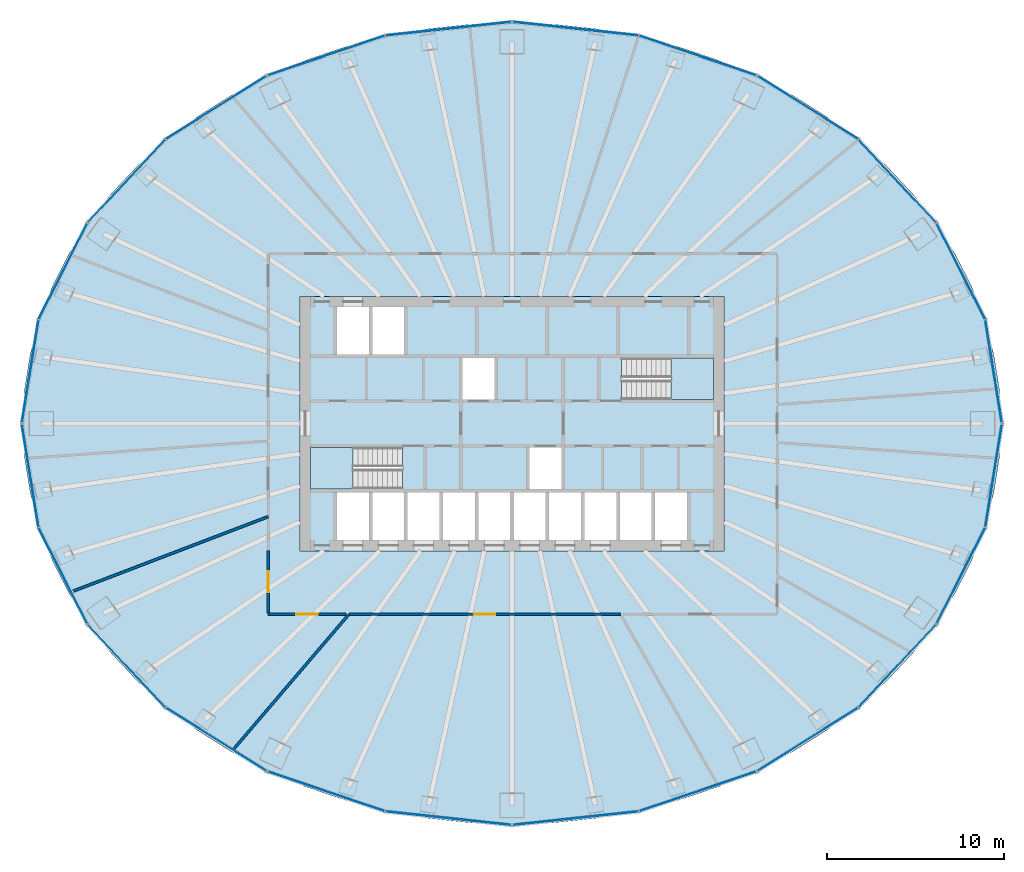
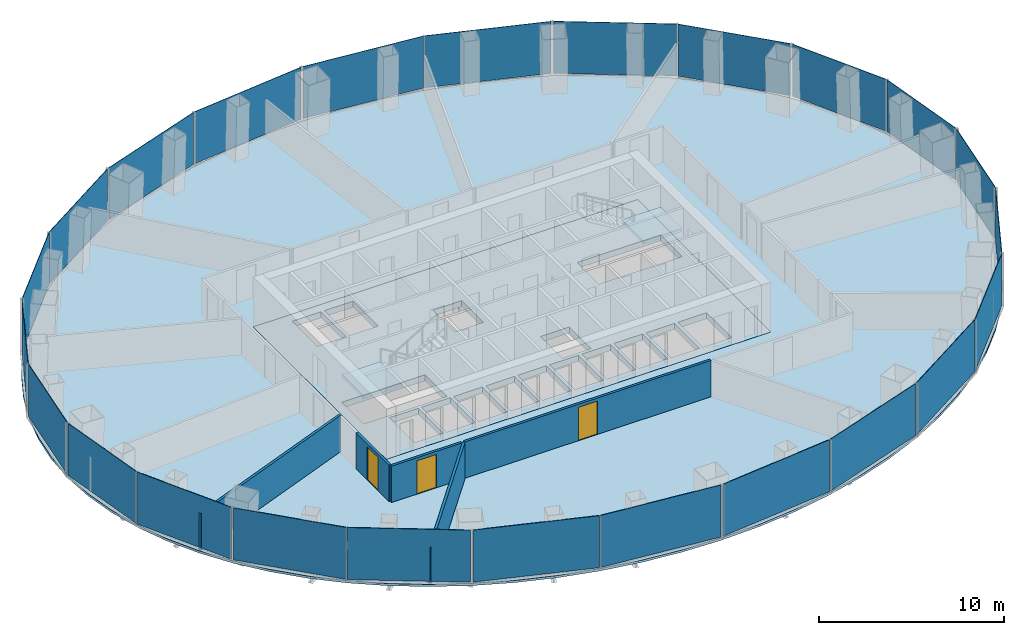
# One storey, part 7 of 11: 24 plates, 5 walls, 4 slabs, 3 doors, 3 openings, 14 elements without a shape of their own.
"""IFC4 building model written with IfcOpenShell, lengths in metres."""

from ifc_helpers import new_model, si_unit, direction, frame, frame_2d, origin, origin_2d, place, context, subcontext, project, spatial, polyline, rectangle, outline, extrude, material, layer, layer_set, type_object, element, fill, aggregate, save


model = new_model("IFC4")

# Units and contexts
model_context = context("Model", 3, precision=1e-05, world=origin(), true_north=direction((0.0, 1.0)))
body_context = subcontext(model_context, "Body", "Model", "MODEL_VIEW")
ifc_project = project(units=[si_unit("LENGTHUNIT", "METRE"), si_unit("AREAUNIT", "SQUARE_METRE"), si_unit("VOLUMEUNIT", "CUBIC_METRE"), si_unit("PLANEANGLEUNIT", "RADIAN"), si_unit("MASSUNIT", "GRAM", prefix="KILO")], contexts=[model_context])

# Site, building, storey
site_placement = place(None, origin())
site = spatial("IfcSite", under=ifc_project, at=site_placement, CompositionType="ELEMENT")
building_placement = place(site_placement, origin())
building = spatial("IfcBuilding", under=site, at=building_placement, Name="Siaravel Broadcast Tower", CompositionType="ELEMENT")
storey_placement = place(building_placement, frame((0.0, 0.0, 51.89990234375)))
storey = spatial("IfcBuildingStorey", under=building, at=storey_placement, Name="L11", CompositionType="ELEMENT", Elevation=51.89990234375)

# Curtain wall, plates
ifc_material_1 = material(Name="Aluminium 6063-T6", Category="aluminium")
ifc_layer_1 = layer(ifc_material_1, 0.219970703125)
ifc_layer_set_1 = layer_set([ifc_layer_1], Name="Aluminium 6063-T6")
curtain_wall_type = type_object("IfcCurtainWallType", Name="Unitised curtain wall, zone 1", PredefinedType="NOTDEFINED", material=ifc_layer_set_1)
curtain_wall_1_placement = place(storey_placement, origin())
curtain_wall_1 = element("IfcCurtainWall", 1, at=curtain_wall_1_placement, inside=storey, type_object=curtain_wall_type, Name="L11 Unitised curtain wall, zone 1 01", PredefinedType="NOTDEFINED")
ifc_material_2 = material(Name="Tinted laminated glass", Category="glass")
ifc_layer_2 = layer(ifc_material_2, 0.031982421875)
ifc_layer_set_2 = layer_set([ifc_layer_2], Name="Tinted laminated glass")
plate_type = type_object("IfcPlateType", Name="CW-Z1 glass panel", PredefinedType="CURTAIN_PANEL", material=ifc_layer_set_2)
plate_1_placement = place(storey_placement, frame((27.25634765625, 2.95947265625, 0.1201171875), z_axis=(0.0, 0.0, 1.0), x_axis=(-0.158685735, 0.987329143, 0.0)))
plate_1 = element("IfcPlate", 2, at=plate_1_placement, type_object=plate_type, Name="CW-Z1 glass panel", PredefinedType="CURTAIN_PANEL", context=body_context, shape_type="SweptSolid", body=[
    extrude(rectangle(XDim=5.854736328125, YDim=0.031982421875, at=origin_2d()), origin(), (0.0, 0.0, 1.0), 3.429931640625),
])
plate_2_placement = place(storey_placement, frame((25.407958984375, 8.609619140625, 0.1201171875), z_axis=(0.0, 0.0, 1.0), x_axis=(-0.451261257, 0.892391886, 0.0)))
plate_2 = element("IfcPlate", 3, at=plate_2_placement, type_object=plate_type, Name="CW-Z1 glass panel", PredefinedType="CURTAIN_PANEL", context=body_context, shape_type="SweptSolid", body=[
    extrude(rectangle(XDim=6.0380859375, YDim=0.031982421875, at=origin_2d()), origin(), (0.0, 0.0, 1.0), 3.429931640625),
])
aggregate(curtain_wall_1, [plate_1, plate_2])

curtain_wall_2_placement = place(storey_placement, origin())
curtain_wall_2 = element("IfcCurtainWall", 4, at=curtain_wall_2_placement, inside=storey, type_object=curtain_wall_type, Name="L11 Unitised curtain wall, zone 1 02", PredefinedType="NOTDEFINED")
plate_3_placement = place(storey_placement, frame((21.798095703125, 13.731689453125, 0.1201171875), z_axis=(0.0, 0.0, 1.0), x_axis=(-0.683655302, 0.729805061, 0.0)))
plate_3 = element("IfcPlate", 5, at=plate_3_placement, type_object=plate_type, Name="CW-Z1 glass panel", PredefinedType="CURTAIN_PANEL", context=body_context, shape_type="SweptSolid", body=[
    extrude(rectangle(XDim=6.34326171875, YDim=0.031982421875, at=origin_2d()), origin(), (0.0, 0.0, 1.0), 3.429931640625),
])
plate_4_placement = place(storey_placement, frame((16.748779296875, 17.86767578125, 0.1201171875), z_axis=(0.0, 0.0, 1.0), x_axis=(-0.846650586, 0.532149214, 0.0)))
plate_4 = element("IfcPlate", 6, at=plate_4_placement, type_object=plate_type, Name="CW-Z1 glass panel", PredefinedType="CURTAIN_PANEL", context=body_context, shape_type="SweptSolid", body=[
    extrude(rectangle(XDim=6.6787109375, YDim=0.031982421875, at=origin_2d()), origin(), (0.0, 0.0, 1.0), 3.429931640625),
])
aggregate(curtain_wall_2, [plate_3, plate_4])

curtain_wall_3_placement = place(storey_placement, origin())
curtain_wall_3 = element("IfcCurtainWall", 7, at=curtain_wall_3_placement, inside=storey, type_object=curtain_wall_type, Name="L11 Unitised curtain wall, zone 1 03", PredefinedType="NOTDEFINED")
plate_5_placement = place(storey_placement, frame((10.502197265625, 20.822021484375, 0.1201171875), z_axis=(0.0, 0.0, 1.0), x_axis=(-0.94697722, 0.321300709, 0.0)))
plate_5 = element("IfcPlate", 8, at=plate_5_placement, type_object=plate_type, Name="CW-Z1 glass panel", PredefinedType="CURTAIN_PANEL", context=body_context, shape_type="SweptSolid", body=[
    extrude(rectangle(XDim=6.956298828125, YDim=0.031982421875, at=origin_2d()), origin(), (0.0, 0.0, 1.0), 3.429931640625),
])
plate_6_placement = place(storey_placement, frame((3.60498046875, 22.335693359375, 0.1201171875), z_axis=(0.0, 0.0, 1.0), x_axis=(-0.994235586, 0.107217536, 0.0)))
plate_6 = element("IfcPlate", 9, at=plate_6_placement, type_object=plate_type, Name="CW-Z1 glass panel", PredefinedType="CURTAIN_PANEL", context=body_context, shape_type="SweptSolid", body=[
    extrude(rectangle(XDim=7.11181640625, YDim=0.031982421875, at=origin_2d()), origin(), (0.0, 0.0, 1.0), 3.429931640625),
])
aggregate(curtain_wall_3, [plate_5, plate_6])

curtain_wall_4_placement = place(storey_placement, origin())
curtain_wall_4 = element("IfcCurtainWall", 10, at=curtain_wall_4_placement, inside=storey, type_object=curtain_wall_type, Name="L11 Unitised curtain wall, zone 1 04", PredefinedType="NOTDEFINED")
plate_7_placement = place(storey_placement, frame((-3.60498046875, 22.335693359375, 0.1201171875), z_axis=(0.0, 0.0, 1.0), x_axis=(-0.994235586, -0.107217536, 0.0)))
plate_7 = element("IfcPlate", 11, at=plate_7_placement, type_object=plate_type, Name="CW-Z1 glass panel", PredefinedType="CURTAIN_PANEL", context=body_context, shape_type="SweptSolid", body=[
    extrude(rectangle(XDim=7.11181640625, YDim=0.031982421875, at=origin_2d()), origin(), (0.0, 0.0, 1.0), 3.429931640625),
])
plate_8_placement = place(storey_placement, frame((-10.502197265625, 20.822021484375, 0.1201171875), z_axis=(0.0, 0.0, 1.0), x_axis=(-0.94697722, -0.321300709, 0.0)))
plate_8 = element("IfcPlate", 12, at=plate_8_placement, type_object=plate_type, Name="CW-Z1 glass panel", PredefinedType="CURTAIN_PANEL", context=body_context, shape_type="SweptSolid", body=[
    extrude(rectangle(XDim=6.956298828125, YDim=0.031982421875, at=origin_2d()), origin(), (0.0, 0.0, 1.0), 3.429931640625),
])
aggregate(curtain_wall_4, [plate_7, plate_8])

curtain_wall_5_placement = place(storey_placement, origin())
curtain_wall_5 = element("IfcCurtainWall", 13, at=curtain_wall_5_placement, inside=storey, type_object=curtain_wall_type, Name="L11 Unitised curtain wall, zone 1 05", PredefinedType="NOTDEFINED")
plate_9_placement = place(storey_placement, frame((-16.748779296875, 17.86767578125, 0.1201171875), z_axis=(0.0, 0.0, 1.0), x_axis=(-0.846650586, -0.532149214, 0.0)))
plate_9 = element("IfcPlate", 14, at=plate_9_placement, type_object=plate_type, Name="CW-Z1 glass panel", PredefinedType="CURTAIN_PANEL", context=body_context, shape_type="SweptSolid", body=[
    extrude(rectangle(XDim=6.6787109375, YDim=0.031982421875, at=origin_2d()), origin(), (0.0, 0.0, 1.0), 3.429931640625),
])
plate_10_placement = place(storey_placement, frame((-21.798095703125, 13.731689453125, 0.1201171875), z_axis=(0.0, 0.0, 1.0), x_axis=(-0.683655302, -0.729805061, 0.0)))
plate_10 = element("IfcPlate", 15, at=plate_10_placement, type_object=plate_type, Name="CW-Z1 glass panel", PredefinedType="CURTAIN_PANEL", context=body_context, shape_type="SweptSolid", body=[
    extrude(rectangle(XDim=6.34326171875, YDim=0.031982421875, at=origin_2d()), origin(), (0.0, 0.0, 1.0), 3.429931640625),
])
aggregate(curtain_wall_5, [plate_9, plate_10])

curtain_wall_6_placement = place(storey_placement, origin())
curtain_wall_6 = element("IfcCurtainWall", 16, at=curtain_wall_6_placement, inside=storey, type_object=curtain_wall_type, Name="L11 Unitised curtain wall, zone 1 06", PredefinedType="NOTDEFINED")
plate_11_placement = place(storey_placement, frame((-25.407958984375, 8.609619140625, 0.1201171875), z_axis=(0.0, 0.0, 1.0), x_axis=(-0.451261257, -0.892391886, 0.0)))
plate_11 = element("IfcPlate", 17, at=plate_11_placement, type_object=plate_type, Name="CW-Z1 glass panel", PredefinedType="CURTAIN_PANEL", context=body_context, shape_type="SweptSolid", body=[
    extrude(rectangle(XDim=6.0380859375, YDim=0.031982421875, at=origin_2d()), origin(), (0.0, 0.0, 1.0), 3.429931640625),
])
plate_12_placement = place(storey_placement, frame((-27.25634765625, 2.95947265625, 0.1201171875), z_axis=(0.0, 0.0, 1.0), x_axis=(-0.158685735, -0.987329143, 0.0)))
plate_12 = element("IfcPlate", 18, at=plate_12_placement, type_object=plate_type, Name="CW-Z1 glass panel", PredefinedType="CURTAIN_PANEL", context=body_context, shape_type="SweptSolid", body=[
    extrude(rectangle(XDim=5.854736328125, YDim=0.031982421875, at=origin_2d()), origin(), (0.0, 0.0, 1.0), 3.429931640625),
])
aggregate(curtain_wall_6, [plate_11, plate_12])

curtain_wall_7_placement = place(storey_placement, origin())
curtain_wall_7 = element("IfcCurtainWall", 19, at=curtain_wall_7_placement, inside=storey, type_object=curtain_wall_type, Name="L11 Unitised curtain wall, zone 1 07", PredefinedType="NOTDEFINED")
plate_13_placement = place(storey_placement, frame((-27.25634765625, -2.95947265625, 0.1201171875), z_axis=(0.0, 0.0, 1.0), x_axis=(0.158685735, -0.987329143, 0.0)))
plate_13 = element("IfcPlate", 20, at=plate_13_placement, type_object=plate_type, Name="CW-Z1 glass panel", PredefinedType="CURTAIN_PANEL", context=body_context, shape_type="SweptSolid", body=[
    extrude(rectangle(XDim=5.854736328125, YDim=0.031982421875, at=origin_2d()), origin(), (0.0, 0.0, 1.0), 3.429931640625),
])
plate_14_placement = place(storey_placement, frame((-25.407958984375, -8.609619140625, 0.1201171875), z_axis=(0.0, 0.0, 1.0), x_axis=(0.451261257, -0.892391886, 0.0)))
plate_14 = element("IfcPlate", 21, at=plate_14_placement, type_object=plate_type, Name="CW-Z1 glass panel", PredefinedType="CURTAIN_PANEL", context=body_context, shape_type="SweptSolid", body=[
    extrude(rectangle(XDim=6.0380859375, YDim=0.031982421875, at=origin_2d()), origin(), (0.0, 0.0, 1.0), 3.429931640625),
])
aggregate(curtain_wall_7, [plate_13, plate_14])

curtain_wall_8_placement = place(storey_placement, origin())
curtain_wall_8 = element("IfcCurtainWall", 22, at=curtain_wall_8_placement, inside=storey, type_object=curtain_wall_type, Name="L11 Unitised curtain wall, zone 1 08", PredefinedType="NOTDEFINED")
plate_15_placement = place(storey_placement, frame((-21.798095703125, -13.731689453125, 0.1201171875), z_axis=(0.0, 0.0, 1.0), x_axis=(0.683655302, -0.729805061, 0.0)))
plate_15 = element("IfcPlate", 23, at=plate_15_placement, type_object=plate_type, Name="CW-Z1 glass panel", PredefinedType="CURTAIN_PANEL", context=body_context, shape_type="SweptSolid", body=[
    extrude(rectangle(XDim=6.34326171875, YDim=0.031982421875, at=origin_2d()), origin(), (0.0, 0.0, 1.0), 3.429931640625),
])
plate_16_placement = place(storey_placement, frame((-16.748779296875, -17.86767578125, 0.1201171875), z_axis=(0.0, 0.0, 1.0), x_axis=(0.846650586, -0.532149214, 0.0)))
plate_16 = element("IfcPlate", 24, at=plate_16_placement, type_object=plate_type, Name="CW-Z1 glass panel", PredefinedType="CURTAIN_PANEL", context=body_context, shape_type="SweptSolid", body=[
    extrude(rectangle(XDim=6.6787109375, YDim=0.031982421875, at=origin_2d()), origin(), (0.0, 0.0, 1.0), 3.429931640625),
])
aggregate(curtain_wall_8, [plate_15, plate_16])

curtain_wall_9_placement = place(storey_placement, origin())
curtain_wall_9 = element("IfcCurtainWall", 25, at=curtain_wall_9_placement, inside=storey, type_object=curtain_wall_type, Name="L11 Unitised curtain wall, zone 1 09", PredefinedType="NOTDEFINED")
plate_17_placement = place(storey_placement, frame((-10.502197265625, -20.822021484375, 0.1201171875), z_axis=(0.0, 0.0, 1.0), x_axis=(0.94697722, -0.321300709, 0.0)))
plate_17 = element("IfcPlate", 26, at=plate_17_placement, type_object=plate_type, Name="CW-Z1 glass panel", PredefinedType="CURTAIN_PANEL", context=body_context, shape_type="SweptSolid", body=[
    extrude(rectangle(XDim=6.956298828125, YDim=0.031982421875, at=origin_2d()), origin(), (0.0, 0.0, 1.0), 3.429931640625),
])
plate_18_placement = place(storey_placement, frame((-3.60498046875, -22.335693359375, 0.1201171875), z_axis=(0.0, 0.0, 1.0), x_axis=(0.994235586, -0.107217536, 0.0)))
plate_18 = element("IfcPlate", 27, at=plate_18_placement, type_object=plate_type, Name="CW-Z1 glass panel", PredefinedType="CURTAIN_PANEL", context=body_context, shape_type="SweptSolid", body=[
    extrude(rectangle(XDim=7.11181640625, YDim=0.031982421875, at=origin_2d()), origin(), (0.0, 0.0, 1.0), 3.429931640625),
])
aggregate(curtain_wall_9, [plate_17, plate_18])

curtain_wall_10_placement = place(storey_placement, origin())
curtain_wall_10 = element("IfcCurtainWall", 28, at=curtain_wall_10_placement, inside=storey, type_object=curtain_wall_type, Name="L11 Unitised curtain wall, zone 1 10", PredefinedType="NOTDEFINED")
plate_19_placement = place(storey_placement, frame((3.60498046875, -22.335693359375, 0.1201171875), z_axis=(0.0, 0.0, 1.0), x_axis=(0.994235586, 0.107217536, 0.0)))
plate_19 = element("IfcPlate", 29, at=plate_19_placement, type_object=plate_type, Name="CW-Z1 glass panel", PredefinedType="CURTAIN_PANEL", context=body_context, shape_type="SweptSolid", body=[
    extrude(rectangle(XDim=7.11181640625, YDim=0.031982421875, at=origin_2d()), origin(), (0.0, 0.0, 1.0), 3.429931640625),
])
plate_20_placement = place(storey_placement, frame((10.502197265625, -20.822021484375, 0.1201171875), z_axis=(0.0, 0.0, 1.0), x_axis=(0.94697722, 0.321300709, 0.0)))
plate_20 = element("IfcPlate", 30, at=plate_20_placement, type_object=plate_type, Name="CW-Z1 glass panel", PredefinedType="CURTAIN_PANEL", context=body_context, shape_type="SweptSolid", body=[
    extrude(rectangle(XDim=6.956298828125, YDim=0.031982421875, at=origin_2d()), origin(), (0.0, 0.0, 1.0), 3.429931640625),
])
aggregate(curtain_wall_10, [plate_19, plate_20])

curtain_wall_11_placement = place(storey_placement, origin())
curtain_wall_11 = element("IfcCurtainWall", 31, at=curtain_wall_11_placement, inside=storey, type_object=curtain_wall_type, Name="L11 Unitised curtain wall, zone 1 11", PredefinedType="NOTDEFINED")
plate_21_placement = place(storey_placement, frame((16.748779296875, -17.86767578125, 0.1201171875), z_axis=(0.0, 0.0, 1.0), x_axis=(0.846650586, 0.532149214, 0.0)))
plate_21 = element("IfcPlate", 32, at=plate_21_placement, type_object=plate_type, Name="CW-Z1 glass panel", PredefinedType="CURTAIN_PANEL", context=body_context, shape_type="SweptSolid", body=[
    extrude(rectangle(XDim=6.6787109375, YDim=0.031982421875, at=origin_2d()), origin(), (0.0, 0.0, 1.0), 3.429931640625),
])
plate_22_placement = place(storey_placement, frame((21.798095703125, -13.731689453125, 0.1201171875), z_axis=(0.0, 0.0, 1.0), x_axis=(0.683655302, 0.729805061, 0.0)))
plate_22 = element("IfcPlate", 33, at=plate_22_placement, type_object=plate_type, Name="CW-Z1 glass panel", PredefinedType="CURTAIN_PANEL", context=body_context, shape_type="SweptSolid", body=[
    extrude(rectangle(XDim=6.34326171875, YDim=0.031982421875, at=origin_2d()), origin(), (0.0, 0.0, 1.0), 3.429931640625),
])
aggregate(curtain_wall_11, [plate_21, plate_22])

curtain_wall_12_placement = place(storey_placement, origin())
curtain_wall_12 = element("IfcCurtainWall", 34, at=curtain_wall_12_placement, inside=storey, type_object=curtain_wall_type, Name="L11 Unitised curtain wall, zone 1 12", PredefinedType="NOTDEFINED")
plate_23_placement = place(storey_placement, frame((25.407958984375, -8.609619140625, 0.1201171875), z_axis=(0.0, 0.0, 1.0), x_axis=(0.451261257, 0.892391886, 0.0)))
plate_23 = element("IfcPlate", 35, at=plate_23_placement, type_object=plate_type, Name="CW-Z1 glass panel", PredefinedType="CURTAIN_PANEL", context=body_context, shape_type="SweptSolid", body=[
    extrude(rectangle(XDim=6.0380859375, YDim=0.031982421875, at=origin_2d()), origin(), (0.0, 0.0, 1.0), 3.429931640625),
])
plate_24_placement = place(storey_placement, frame((27.25634765625, -2.95947265625, 0.1201171875), z_axis=(0.0, 0.0, 1.0), x_axis=(0.158685735, 0.987329143, 0.0)))
plate_24 = element("IfcPlate", 36, at=plate_24_placement, type_object=plate_type, Name="CW-Z1 glass panel", PredefinedType="CURTAIN_PANEL", context=body_context, shape_type="SweptSolid", body=[
    extrude(rectangle(XDim=5.854736328125, YDim=0.031982421875, at=origin_2d()), origin(), (0.0, 0.0, 1.0), 3.429931640625),
])
aggregate(curtain_wall_12, [plate_23, plate_24])

# Slabs
ifc_material_3 = material(Name="Concrete C40/50", Category="concrete")
ifc_layer_3 = layer(ifc_material_3, 0.39990234375)
ifc_layer_set_3 = layer_set([ifc_layer_3], Name="Concrete C40/50")
slab_type_1 = type_object("IfcSlabType", Name="Core floor slab 400", PredefinedType="FLOOR", material=ifc_layer_set_3)
slab_1_placement = place(storey_placement, frame((0.0, 0.0, -0.39990234375)))
element("IfcSlab", 37, at=slab_1_placement, inside=storey, type_object=slab_type_1, Name="L11 core floor", PredefinedType="FLOOR", context=body_context, shape_type="SweptSolid", body=[
    extrude(outline(polyline([(-12.0, -7.199951171875), (-12.0, 7.199951171875), (12.0, 7.199951171875), (12.0, -7.199951171875), (-12.0, -7.199951171875)]), holes=[polyline([(11.3994140625, 1.3505859375), (11.3994140625, 3.699462890625), (6.200439453125, 3.699462890625), (6.200439453125, 1.3505859375), (11.3994140625, 1.3505859375)]), polyline([(9.89990234375, -3.89990234375), (8.10009765625, -3.89990234375), (8.10009765625, -6.60009765625), (9.89990234375, -6.60009765625), (9.89990234375, -3.89990234375)]), polyline([(7.89990234375, -3.89990234375), (6.10009765625, -3.89990234375), (6.10009765625, -6.60009765625), (7.89990234375, -6.60009765625), (7.89990234375, -3.89990234375)]), polyline([(5.89990234375, -3.89990234375), (4.10009765625, -3.89990234375), (4.10009765625, -6.60009765625), (5.89990234375, -6.60009765625), (5.89990234375, -3.89990234375)]), polyline([(3.89990234375, -3.89990234375), (2.10009765625, -3.89990234375), (2.10009765625, -6.60009765625), (3.89990234375, -6.60009765625), (3.89990234375, -3.89990234375)]), polyline([(2.800048828125, -1.35009765625), (1.0, -1.35009765625), (1.0, -3.699951171875), (2.800048828125, -3.699951171875), (2.800048828125, -1.35009765625)]), polyline([(1.89990234375, -3.89990234375), (0.10009765625, -3.89990234375), (0.10009765625, -6.60009765625), (1.89990234375, -6.60009765625), (1.89990234375, -3.89990234375)]), polyline([(-0.10009765625, -3.89990234375), (-1.89990234375, -3.89990234375), (-1.89990234375, -6.60009765625), (-0.10009765625, -6.60009765625), (-0.10009765625, -3.89990234375)]), polyline([(-1.0, 3.699951171875), (-2.800048828125, 3.699951171875), (-2.800048828125, 1.35009765625), (-1.0, 1.35009765625), (-1.0, 3.699951171875)]), polyline([(-2.10009765625, -3.89990234375), (-3.89990234375, -3.89990234375), (-3.89990234375, -6.60009765625), (-2.10009765625, -6.60009765625), (-2.10009765625, -3.89990234375)]), polyline([(-4.10009765625, -3.89990234375), (-5.89990234375, -3.89990234375), (-5.89990234375, -6.60009765625), (-4.10009765625, -6.60009765625), (-4.10009765625, -3.89990234375)]), polyline([(-6.10009765625, -3.89990234375), (-7.89990234375, -3.89990234375), (-7.89990234375, -6.60009765625), (-6.10009765625, -6.60009765625), (-6.10009765625, -3.89990234375)]), polyline([(-6.10009765625, 6.60009765625), (-7.89990234375, 6.60009765625), (-7.89990234375, 3.89990234375), (-6.10009765625, 3.89990234375), (-6.10009765625, 6.60009765625)]), polyline([(-11.3994140625, -1.3505859375), (-11.3994140625, -3.699462890625), (-6.200439453125, -3.699462890625), (-6.200439453125, -1.3505859375), (-11.3994140625, -1.3505859375)]), polyline([(-8.10009765625, -3.89990234375), (-9.89990234375, -3.89990234375), (-9.89990234375, -6.60009765625), (-8.10009765625, -6.60009765625), (-8.10009765625, -3.89990234375)]), polyline([(-8.10009765625, 6.60009765625), (-9.89990234375, 6.60009765625), (-9.89990234375, 3.89990234375), (-8.10009765625, 3.89990234375), (-8.10009765625, 6.60009765625)])]), origin(), (0.0, 0.0, 1.0), 0.39990234375),
])
ifc_layer_4 = layer(ifc_material_3, 0.14990234375)
ifc_layer_set_4 = layer_set([ifc_layer_4], Name="Concrete C40/50")
slab_type_2 = type_object("IfcSlabType", Name="SLB-FLOOR-150", PredefinedType="FLOOR", material=ifc_layer_set_4)
slab_2_placement = place(storey_placement, frame((0.0, 0.0, -0.14990234375)))
element("IfcSlab", 38, at=slab_2_placement, inside=storey, type_object=slab_type_2, Name="Floor slab", PredefinedType="FLOOR", context=body_context, shape_type="SweptSolid", body=[
    extrude(outline(polyline([(27.681884765625, 0.0), (27.57666015625, 1.976318359375), (27.26123046875, 3.9375), (26.73876953125, 5.86865234375), (26.012451171875, 7.755126953125), (25.08837890625, 9.582763671875), (23.97314453125, 11.33740234375), (22.67578125, 13.005615234375), (21.20556640625, 14.574951171875), (19.57421875, 16.033447265625), (17.793701171875, 17.369873046875), (15.877685546875, 18.573974609375), (13.841064453125, 19.63671875), (11.698974609375, 20.55029296875), (9.4677734375, 21.30712890625), (7.16455078125, 21.902099609375), (4.806884765625, 22.330078125), (2.41259765625, 22.58837890625), (0.0, 22.674560546875), (-2.41259765625, 22.58837890625), (-4.806884765625, 22.330078125), (-7.16455078125, 21.902099609375), (-9.4677734375, 21.30712890625), (-11.698974609375, 20.55029296875), (-13.8408203125, 19.63671875), (-15.877685546875, 18.573974609375), (-17.793701171875, 17.369873046875), (-19.57421875, 16.033447265625), (-21.20556640625, 14.574951171875), (-22.67578125, 13.005615234375), (-23.97314453125, 11.33740234375), (-25.08837890625, 9.582763671875), (-26.012451171875, 7.755126953125), (-26.73876953125, 5.86865234375), (-27.26123046875, 3.9375), (-27.57666015625, 1.976318359375), (-27.681884765625, 0.0), (-27.57666015625, -1.976318359375), (-27.26123046875, -3.9375), (-26.73876953125, -5.86865234375), (-26.012451171875, -7.755126953125), (-25.08837890625, -9.582763671875), (-23.97314453125, -11.33740234375), (-22.67578125, -13.005615234375), (-21.20556640625, -14.574951171875), (-19.57421875, -16.033447265625), (-17.793701171875, -17.369873046875), (-15.877685546875, -18.573974609375), (-13.841064453125, -19.63671875), (-11.698974609375, -20.55029296875), (-9.4677734375, -21.30712890625), (-7.16455078125, -21.902099609375), (-4.806884765625, -22.330078125), (-2.41259765625, -22.58837890625), (0.0, -22.674560546875), (2.41259765625, -22.58837890625), (4.806884765625, -22.330078125), (7.16455078125, -21.902099609375), (9.4677734375, -21.30712890625), (11.698974609375, -20.55029296875), (13.841064453125, -19.63671875), (15.877685546875, -18.573974609375), (17.793701171875, -17.369873046875), (19.57421875, -16.033447265625), (21.20556640625, -14.574951171875), (22.67578125, -13.005615234375), (23.97314453125, -11.33740234375), (25.08837890625, -9.582763671875), (26.012451171875, -7.755126953125), (26.73876953125, -5.86865234375), (27.26123046875, -3.9375), (27.57666015625, -1.976318359375), (27.681884765625, 0.0)]), holes=[polyline([(-12.0, 7.199951171875), (12.0, 7.199951171875), (12.0, -7.199951171875), (-12.0, -7.199951171875), (-12.0, 7.199951171875)])]), origin(), (0.0, 0.0, 1.0), 0.14990234375),
])

# Stair, slab
stair_type = type_object("IfcStairType", Name="Core exit stair", PredefinedType="HALF_TURN_STAIR", material=ifc_material_3)
stair_1_placement = place(storey_placement, origin())
stair_1 = element("IfcStair", 39, at=stair_1_placement, inside=storey, type_object=stair_type, Name="L11 Exit stair ST-1", PredefinedType="HALF_TURN_STAIR")
ifc_layer_5 = layer(ifc_material_3, 0.199951171875)
ifc_layer_set_5 = layer_set([ifc_layer_5], Name="Concrete C40/50")
slab_type_3 = type_object("IfcSlabType", Name="Stair landing", PredefinedType="LANDING", material=ifc_layer_set_5)
slab_3_placement = place(storey_placement, frame((0.0, 0.0, 1.650146484375)))
slab_3 = element("IfcSlab", 40, at=slab_3_placement, type_object=slab_type_3, Name="ST-1 landing 1", PredefinedType="LANDING", context=body_context, shape_type="SweptSolid", body=[
    extrude(outline(polyline([(-9.0, -1.35009765625), (-11.39990234375, -1.35009765625), (-11.39990234375, -3.699951171875), (-9.0, -3.699951171875), (-9.0, -1.35009765625)])), origin(), (0.0, 0.0, 1.0), 0.199951171875),
])
aggregate(stair_1, [slab_3])

stair_2_placement = place(storey_placement, origin())
stair_2 = element("IfcStair", 41, at=stair_2_placement, inside=storey, type_object=stair_type, Name="L11 Exit stair ST-2", PredefinedType="HALF_TURN_STAIR")
slab_4_placement = place(storey_placement, frame((0.0, 0.0, 1.650146484375)))
slab_4 = element("IfcSlab", 42, at=slab_4_placement, type_object=slab_type_3, Name="ST-2 landing 1", PredefinedType="LANDING", context=body_context, shape_type="SweptSolid", body=[
    extrude(outline(polyline([(9.0, 1.35009765625), (11.39990234375, 1.35009765625), (11.39990234375, 3.699951171875), (9.0, 3.699951171875), (9.0, 1.35009765625)])), origin(), (0.0, 0.0, 1.0), 0.199951171875),
])
aggregate(stair_2, [slab_4])

# Wall, opening, door
ifc_material_4 = material(Name="Gypsum board partition", Category="gypsum")
ifc_layer_6 = layer(ifc_material_4, 0.14990234375)
ifc_layer_set_6 = layer_set([ifc_layer_6], Name="Gypsum board partition")
wall_type_1 = type_object("IfcWallType", Name="Corridor wall 150", PredefinedType="PARTITIONING", material=ifc_layer_set_6)
wall_1_placement = place(storey_placement, frame((-9.232421875, -10.800048828125, 0.0), z_axis=(0.0, 0.0, 1.0), x_axis=(1.0, 0.0, 0.0)))
wall_1 = element("IfcWall", 43, at=wall_1_placement, inside=storey, type_object=wall_type_1, Name="L11 partition 1", PredefinedType="PARTITIONING", context=body_context, shape_type="SweptSolid", body=[
    extrude(rectangle(XDim=15.380615234375, YDim=0.14990234375, at=frame_2d((7.6904296875, 0.0))), origin(), (0.0, 0.0, 1.0), 2.400146484375),
])
opening_1_placement = place(wall_1_placement, frame((7.09033203125, 0.0, 0.0)))
opening_1 = element("IfcOpeningElement", 44, at=opening_1_placement, cuts=wall_1, Name="Opening L11-012", PredefinedType="OPENING", context=body_context, shape_type="SweptSolid", body=[
    extrude(rectangle(XDim=1.199951171875, YDim=2.199951171875, at=frame_2d((0.60009765625, 1.10009765625))), frame((0.0, 0.0849609375, 0.0), z_axis=(0.0, -1.0, 0.0), x_axis=(1.0, 0.0, 0.0)), (0.0, 0.0, 1.0), 0.169921875),
])
ifc_material_5 = material(Name="Timber veneer", Category="wood")
door_type = type_object("IfcDoorType", Name="Office double door 1200", OperationType="DOUBLE_DOOR_SINGLE_SWING", PredefinedType="DOOR", material=ifc_material_5)
door_1_placement = place(opening_1_placement, origin())
door_1 = element("IfcDoor", 45, at=door_1_placement, inside=storey, type_object=door_type, Name="L11 door to Open plan newsroom", OperationType="DOUBLE_DOOR_SINGLE_SWING", OverallHeight=2.199951171875, OverallWidth=1.199951171875, PredefinedType="DOOR", context=body_context, shape_type="SweptSolid", body=[
    extrude(rectangle(XDim=1.199951171875, YDim=2.199951171875, at=frame_2d((0.60009765625, 1.10009765625))), frame((0.0, 0.02490234375, 0.0), z_axis=(0.0, -1.0, 0.0), x_axis=(1.0, 0.0, 0.0)), (0.0, 0.0, 1.0), 0.050048828125),
])
fill(opening_1, door_1)

wall_2_placement = place(storey_placement, frame((-13.800048828125, -10.800048828125, 0.0), z_axis=(0.0, 0.0, 1.0), x_axis=(1.0, 0.0, 0.0)))
wall_2 = element("IfcWall", 46, at=wall_2_placement, inside=storey, type_object=wall_type_1, Name="L11 partition 21", PredefinedType="PARTITIONING", context=body_context, shape_type="SweptSolid", body=[
    extrude(rectangle(XDim=4.403076171875, YDim=0.14990234375, at=frame_2d((2.20166015625, 0.0))), origin(), (0.0, 0.0, 1.0), 2.400146484375),
])
opening_2_placement = place(wall_2_placement, frame((1.6015625, 0.0, 0.0)))
opening_2 = element("IfcOpeningElement", 47, at=opening_2_placement, cuts=wall_2, Name="Opening L11-010", PredefinedType="OPENING", context=body_context, shape_type="SweptSolid", body=[
    extrude(rectangle(XDim=1.199951171875, YDim=2.199951171875, at=frame_2d((0.60009765625, 1.10009765625))), frame((0.0, 0.0849609375, 0.0), z_axis=(0.0, -1.0, 0.0), x_axis=(1.0, 0.0, 0.0)), (0.0, 0.0, 1.0), 0.169921875),
])
door_2_placement = place(opening_2_placement, origin())
door_2 = element("IfcDoor", 48, at=door_2_placement, inside=storey, type_object=door_type, Name="L11 door to Open plan newsroom", OperationType="DOUBLE_DOOR_SINGLE_SWING", OverallHeight=2.199951171875, OverallWidth=1.199951171875, PredefinedType="DOOR", context=body_context, shape_type="SweptSolid", body=[
    extrude(rectangle(XDim=1.199951171875, YDim=2.199951171875, at=frame_2d((0.60009765625, 1.10009765625))), frame((0.0, 0.02490234375, 0.0), z_axis=(0.0, -1.0, 0.0), x_axis=(1.0, 0.0, 0.0)), (0.0, 0.0, 1.0), 0.050048828125),
])
fill(opening_2, door_2)

wall_3_placement = place(storey_placement, frame((-13.800048828125, -7.18798828125, 0.0), z_axis=(0.0, 0.0, 1.0), x_axis=(0.0, -1.0, 0.0)))
wall_3 = element("IfcWall", 49, at=wall_3_placement, inside=storey, type_object=wall_type_1, Name="L11 partition 24", PredefinedType="PARTITIONING", context=body_context, shape_type="SweptSolid", body=[
    extrude(rectangle(XDim=3.534912109375, YDim=0.14990234375, at=frame_2d((1.767578125, 0.0))), origin(), (0.0, 0.0, 1.0), 2.400146484375),
])
opening_3_placement = place(wall_3_placement, frame((1.16748046875, 0.0, 0.0)))
opening_3 = element("IfcOpeningElement", 50, at=opening_3_placement, cuts=wall_3, Name="Opening L11-011", PredefinedType="OPENING", context=body_context, shape_type="SweptSolid", body=[
    extrude(rectangle(XDim=1.199951171875, YDim=2.199951171875, at=frame_2d((0.60009765625, 1.10009765625))), frame((0.0, 0.0849609375, 0.0), z_axis=(0.0, -1.0, 0.0), x_axis=(1.0, 0.0, 0.0)), (0.0, 0.0, 1.0), 0.169921875),
])
door_3_placement = place(opening_3_placement, origin())
door_3 = element("IfcDoor", 51, at=door_3_placement, inside=storey, type_object=door_type, Name="L11 door to Open plan newsroom", OperationType="DOUBLE_DOOR_SINGLE_SWING", OverallHeight=2.199951171875, OverallWidth=1.199951171875, PredefinedType="DOOR", context=body_context, shape_type="SweptSolid", body=[
    extrude(rectangle(XDim=1.199951171875, YDim=2.199951171875, at=frame_2d((0.60009765625, 1.10009765625))), frame((0.0, 0.02490234375, 0.0), z_axis=(0.0, -1.0, 0.0), x_axis=(1.0, 0.0, 0.0)), (0.0, 0.0, 1.0), 0.050048828125),
])
fill(opening_3, door_3)

# Walls
ifc_layer_7 = layer(ifc_material_4, 0.14990234375)
ifc_layer_set_7 = layer_set([ifc_layer_7], Name="Gypsum board partition")
wall_type_2 = type_object("IfcWallType", Name="Room partition 150", PredefinedType="PARTITIONING", material=ifc_layer_set_7)
wall_4_placement = place(storey_placement, frame((-24.97412109375, -9.5390625, 0.0), z_axis=(0.0, 0.0, 1.0), x_axis=(0.934173736, 0.356818485, 0.0)))
element("IfcWall", 52, at=wall_4_placement, inside=storey, type_object=wall_type_2, Name="L11 partition 8", PredefinedType="PARTITIONING", context=body_context, shape_type="SweptSolid", body=[
    extrude(rectangle(XDim=11.96142578125, YDim=0.14990234375, at=frame_2d((5.980712890625, 0.0))), origin(), (0.0, 0.0, 1.0), 2.400146484375),
])
wall_5_placement = place(storey_placement, frame((-15.7978515625, -18.48046875, 0.0), z_axis=(0.0, 0.0, 1.0), x_axis=(0.649794059, 0.760110308, 0.0)))
element("IfcWall", 53, at=wall_5_placement, inside=storey, type_object=wall_type_2, Name="L11 partition 11", PredefinedType="PARTITIONING", context=body_context, shape_type="SweptSolid", body=[
    extrude(rectangle(XDim=10.045166015625, YDim=0.14990234375, at=frame_2d((5.0224609375, 0.0))), origin(), (0.0, 0.0, 1.0), 2.400146484375),
])

save(model, "model.ifc")
